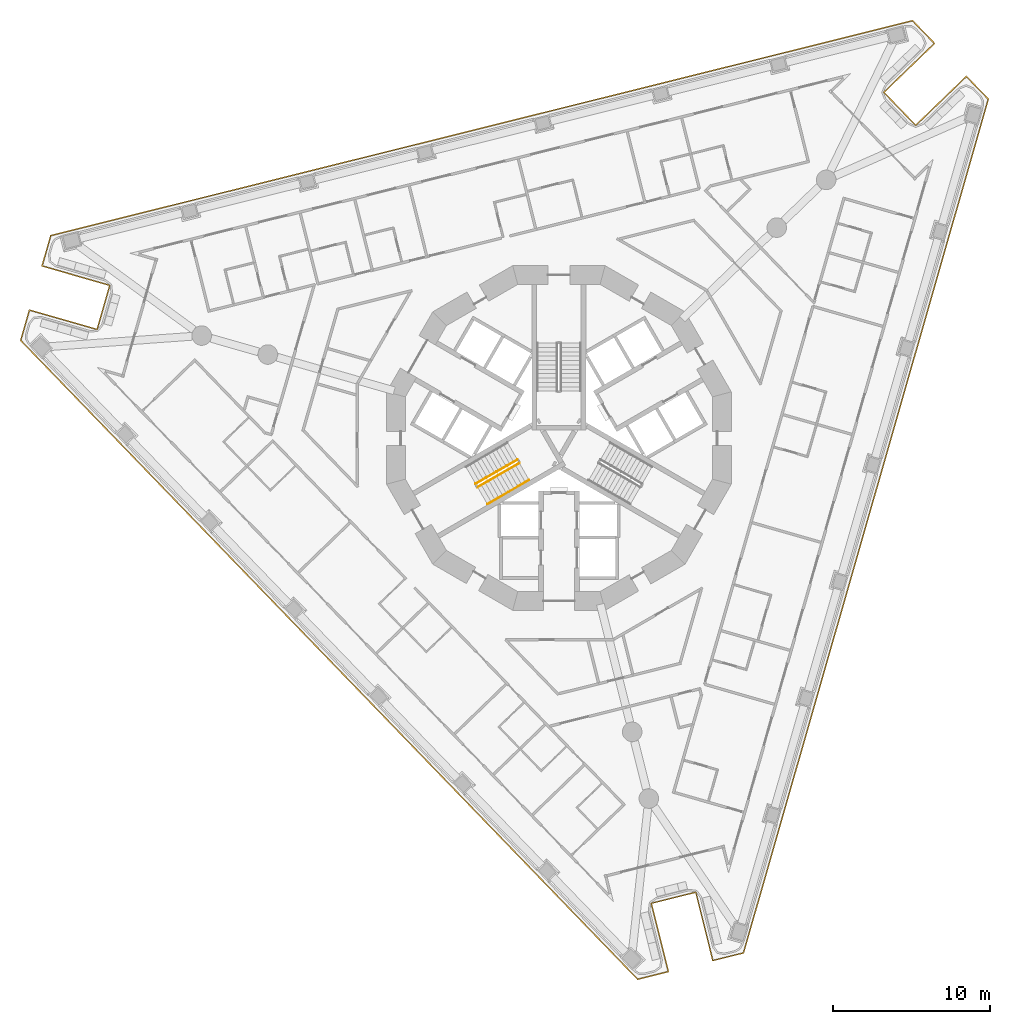
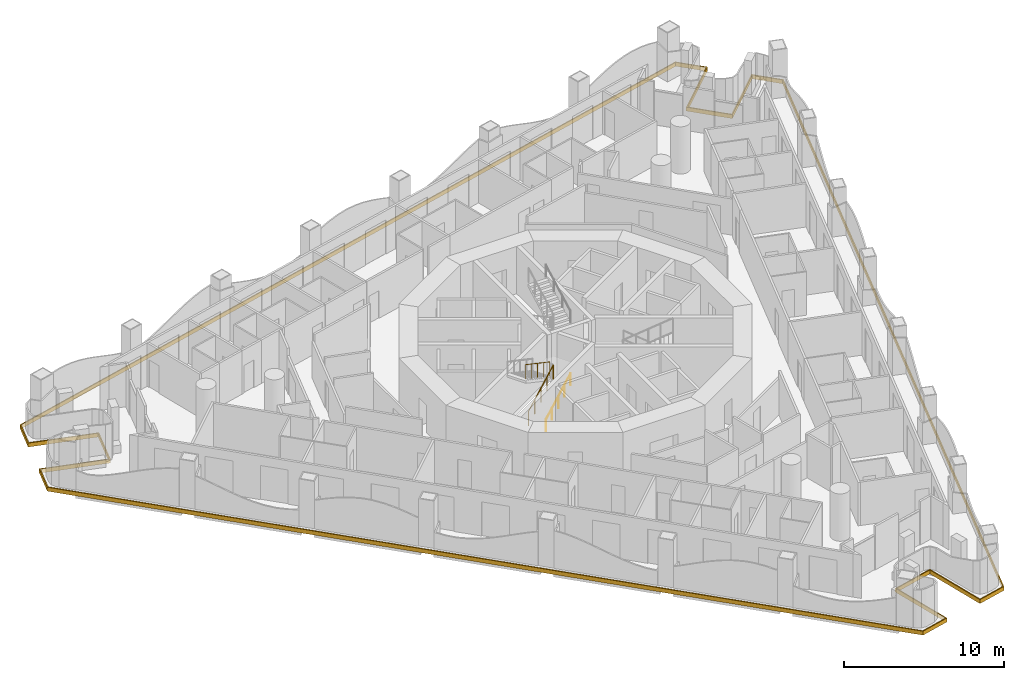
# One storey, part 12 of 18: 4 railings, 1 covering.
"""IFC4 building model written with IfcOpenShell, lengths in metres."""

from ifc_helpers import new_model, si_unit, direction, frame, origin, origin_2d, place, context, subcontext, project, spatial, polyline, circle, outline, extrude, material, layer, layer_set, type_object, element, save


model = new_model("IFC4")

# Units and contexts
model_context = context("Model", 3, precision=1e-05, world=origin(), true_north=direction((0.0, 1.0)))
body_context = subcontext(model_context, "Body", "Model", "MODEL_VIEW")
ifc_project = project(units=[si_unit("LENGTHUNIT", "METRE"), si_unit("AREAUNIT", "SQUARE_METRE"), si_unit("VOLUMEUNIT", "CUBIC_METRE"), si_unit("PLANEANGLEUNIT", "RADIAN"), si_unit("MASSUNIT", "GRAM", prefix="KILO")], contexts=[model_context])

# Site, building, storey
site_placement = place(None, origin())
site = spatial("IfcSite", under=ifc_project, at=site_placement, CompositionType="ELEMENT")
building_placement = place(site_placement, origin())
building = spatial("IfcBuilding", under=site, at=building_placement, Name="Trine Commons Tower", CompositionType="ELEMENT")
storey_placement = place(building_placement, frame((0.0, 0.0, 90.89990234375)))
storey = spatial("IfcBuildingStorey", under=building, at=storey_placement, Name="L22", CompositionType="ELEMENT", Elevation=90.89990234375)

# Covering
ifc_material_1 = material(Name="Limestone, honed", Category="masonry")
ifc_layer = layer(ifc_material_1, 0.074951171875)
ifc_layer_set = layer_set([ifc_layer], Name="Limestone, honed")
covering_type = type_object("IfcCoveringType", Name="Limestone spandrel panel 75", PredefinedType="CLADDING", material=ifc_layer_set)
covering_placement = place(storey_placement, frame((0.0, 0.0, -0.2998046875)))
element("IfcCovering", 1, at=covering_placement, inside=storey, type_object=covering_type, Name="Limestone spandrel panel 3-01", PredefinedType="CLADDING", context=body_context, shape_type="SweptSolid", body=[
    extrude(outline(polyline([(88.716064453125, 33.432373046875), (89.8046875, 29.06591796875), (91.8251953125, 29.56982421875), (107.478759765625, 84.159912109375), (106.031982421875, 85.657958984375), (102.795166015625, 82.531982421875), (100.815185546875, 84.58203125), (104.052490234375, 87.7080078125), (102.605712890625, 89.2060546875), (47.50244140625, 75.46728515625), (46.928466796875, 73.465576171875), (51.254150390625, 72.22509765625), (50.468505859375, 69.485595703125), (46.14306640625, 70.725830078125), (45.569091796875, 68.72412109375), (85.018798828125, 27.872802734375), (87.039306640625, 28.37646484375), (85.95068359375, 32.742919921875), (88.716064453125, 33.432373046875)]), holes=[polyline([(106.0302734375, 85.552001953125), (107.394775390625, 84.13916015625), (91.764892578125, 29.632080078125), (89.859375, 29.156982421875), (88.7705078125, 33.523193359375), (85.85986328125, 32.797607421875), (86.948486328125, 28.43115234375), (85.04248046875, 27.9560546875), (45.653076171875, 68.7451171875), (46.1943359375, 70.63330078125), (50.52001953125, 69.392822265625), (51.346923828125, 72.276611328125), (47.021240234375, 73.516845703125), (47.562744140625, 75.405029296875), (102.581787109375, 89.122802734375), (103.9462890625, 87.7099609375), (100.709228515625, 84.583984375), (102.793212890625, 82.426025390625), (106.0302734375, 85.552001953125)])]), origin(), (0.0, 0.0, 1.0), 0.2998046875),
])

# Railings
ifc_material_2 = material(Name="Stainless steel balustrade", Category="steel")
railing_type_1 = type_object("IfcRailingType", Name="Stair guard, steel balustrade 1100", PredefinedType="GUARDRAIL", material=ifc_material_2)
railing_1_placement = place(storey_placement, frame((74.80517578125, 59.3564453125, 0.150146484375)))
element("IfcRailing", 2, at=railing_1_placement, inside=storey, type_object=railing_type_1, Name="L22 ST2A stair guard 1", PredefinedType="GUARDRAIL", context=body_context, shape_type="SweptSolid", body=[
    extrude(circle(Radius=0.02392578125, at=origin_2d()), frame((0.0, 0.0, 1.076171875), z_axis=(0.76340495495, 0.440743040072, 0.472184759798), x_axis=(-0.499992328818, 0.866029832698, 0.0)), (0.0, 0.0, 1.0), 3.494140625),
    extrude(circle(Radius=0.02099609375, at=origin_2d()), origin(), (0.0, 0.0, 1.0), 1.052001953125),
    extrude(circle(Radius=0.02099609375, at=origin_2d()), frame((0.6669921875, 0.385009765625, 0.41259765625)), (0.0, 0.0, 1.0), 1.052001953125),
    extrude(circle(Radius=0.02099609375, at=origin_2d()), frame((1.333740234375, 0.77001953125, 0.824951171875)), (0.0, 0.0, 1.0), 1.052001953125),
    extrude(circle(Radius=0.02099609375, at=origin_2d()), frame((2.00048828125, 1.155029296875, 1.2373046875)), (0.0, 0.0, 1.0), 1.052001953125),
    extrude(circle(Radius=0.02099609375, at=origin_2d()), frame((2.66748046875, 1.5400390625, 1.64990234375)), (0.0, 0.0, 1.0), 1.052001953125),
])
railing_2_placement = place(storey_placement, frame((77.34765625, 61.113037109375, 1.9501953125)))
element("IfcRailing", 3, at=railing_2_placement, inside=storey, type_object=railing_type_1, Name="L22 ST2A stair guard 3", PredefinedType="GUARDRAIL", context=body_context, shape_type="SweptSolid", body=[
    extrude(circle(Radius=0.02392578125, at=origin_2d()), frame((0.0, 0.0, 1.076171875), z_axis=(-0.76340495495, -0.440743040072, 0.472184759798), x_axis=(0.499992328818, -0.866029832698, 0.0)), (0.0, 0.0, 1.0), 3.494140625),
    extrude(circle(Radius=0.02099609375, at=origin_2d()), origin(), (0.0, 0.0, 1.0), 1.052001953125),
    extrude(circle(Radius=0.02099609375, at=origin_2d()), frame((-0.6669921875, -0.385009765625, 0.41259765625)), (0.0, 0.0, 1.0), 1.052001953125),
    extrude(circle(Radius=0.02099609375, at=origin_2d()), frame((-1.333740234375, -0.77001953125, 0.824951171875)), (0.0, 0.0, 1.0), 1.052001953125),
    extrude(circle(Radius=0.02099609375, at=origin_2d()), frame((-2.00048828125, -1.155029296875, 1.2373046875)), (0.0, 0.0, 1.0), 1.052001953125),
    extrude(circle(Radius=0.02099609375, at=origin_2d()), frame((-2.66748046875, -1.5400390625, 1.64990234375)), (0.0, 0.0, 1.0), 1.052001953125),
])
ifc_material_3 = material(Name="Stainless steel handrail", Category="steel")
railing_type_2 = type_object("IfcRailingType", Name="Stair handrail, steel 900", PredefinedType="HANDRAIL", material=ifc_material_3)
for number, where, name in (
    (4, (75.43017578125, 58.27392578125, 0.150146484375), "L22 ST2A stair handrail 1"),
    (5, (76.763916015625, 59.0439453125, 0.97509765625), "L22 ST2A stair handrail 2"),
):
    element("IfcRailing", number, at=place(storey_placement, frame(where)), inside=storey, type_object=railing_type_2, Name=name, PredefinedType="HANDRAIL", context=body_context, shape_type="SweptSolid", body=[
        extrude(circle(Radius=0.02099609375, at=origin_2d()), frame((0.0, 0.0, 0.87890625), z_axis=(0.76340495495, 0.440743040072, 0.472184759798), x_axis=(-0.499992328818, 0.866029832698, 0.0)), (0.0, 0.0, 1.0), 1.7470703125),
        extrude(circle(Radius=0.01513671875, at=origin_2d()), origin(), (0.0, 0.0, 1.0), 0.85791015625),
        extrude(circle(Radius=0.01513671875, at=origin_2d()), frame((0.6669921875, 0.385009765625, 0.41259765625)), (0.0, 0.0, 1.0), 0.85791015625),
        extrude(circle(Radius=0.01513671875, at=origin_2d()), frame((1.333740234375, 0.77001953125, 0.824951171875)), (0.0, 0.0, 1.0), 0.85791015625),
    ])

save(model, "model.ifc")
